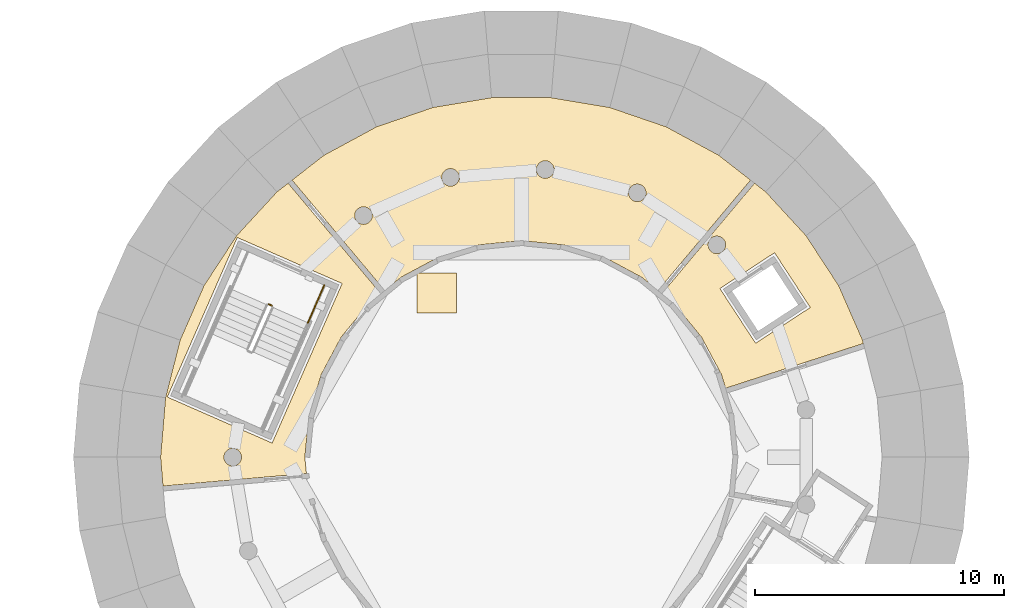
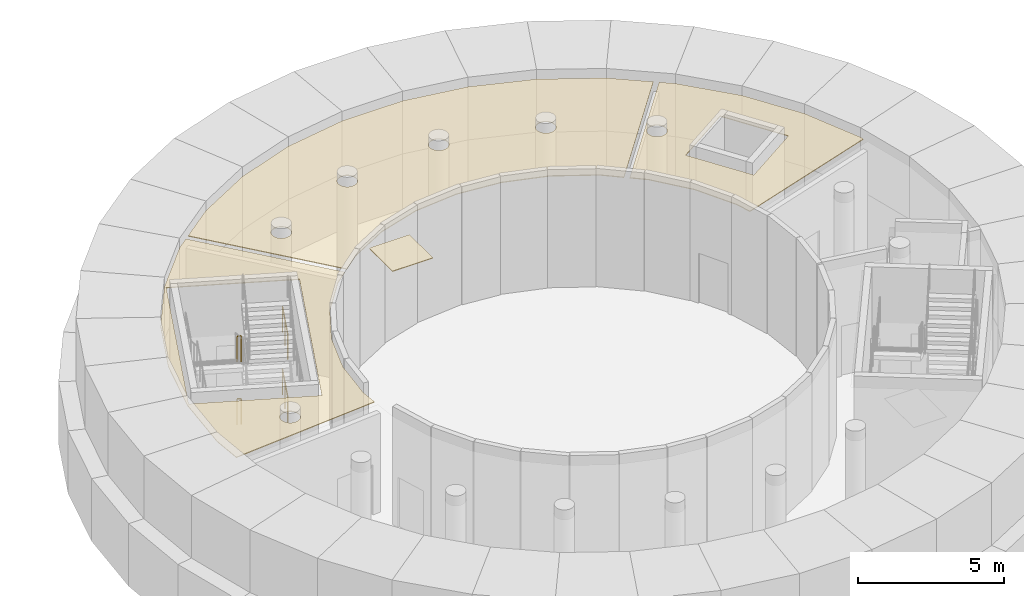
# One storey, part 120 of 125: 4 coverings, 4 railings.
"""IFC4 building model written with IfcOpenShell, lengths in metres."""

from ifc_helpers import new_model, si_unit, direction, frame, origin, origin_2d, place, context, subcontext, project, spatial, polyline, circle, outline, extrude, material, layer, layer_set, type_object, element, save


model = new_model("IFC4")

# Units and contexts
model_context = context("Model", 3, precision=1e-05, world=origin(), true_north=direction((0.0, 1.0)))
body_context = subcontext(model_context, "Body", "Model", "MODEL_VIEW")
ifc_project = project(units=[si_unit("LENGTHUNIT", "METRE"), si_unit("AREAUNIT", "SQUARE_METRE"), si_unit("VOLUMEUNIT", "CUBIC_METRE"), si_unit("PLANEANGLEUNIT", "RADIAN"), si_unit("MASSUNIT", "GRAM", prefix="KILO")], contexts=[model_context])

# Site, building, storey
site_placement = place(None, origin())
site = spatial("IfcSite", under=ifc_project, at=site_placement, CompositionType="ELEMENT")
building_placement = place(site_placement, origin())
building = spatial("IfcBuilding", under=site, at=building_placement, Name="Sun Court Science Centre", CompositionType="ELEMENT")
storey_placement = place(building_placement, frame((0.0, 0.0, 6.0)))
storey = spatial("IfcBuildingStorey", under=building, at=storey_placement, Name="L01", CompositionType="ELEMENT", Elevation=6.0)

# Coverings
ifc_material_1 = material(Name="Perforated steel", Category="steel")
ifc_layer_1 = layer(ifc_material_1, 0.030029296875)
ifc_layer_set_1 = layer_set([ifc_layer_1], Name="Perforated steel")
covering_type_1 = type_object("IfcCoveringType", Name="Ceiling acoustic perforated", PredefinedType="CEILING", material=ifc_layer_set_1)
covering_1_placement = place(storey_placement, frame((0.0, 0.0, 4.52001953125)))
element("IfcCovering", 1, at=covering_1_placement, inside=storey, type_object=covering_type_1, Name="L01-075 ceiling", PredefinedType="CEILING", context=body_context, shape_type="SweptSolid", body=[
    extrude(outline(polyline([(63.7509765625, 103.700439453125), (64.712646484375, 101.507568359375), (64.7470703125, 101.371826171875), (59.20751953125, 99.572021484375), (59.0380859375, 100.12939453125), (58.234130859375, 101.6337890625), (57.152099609375, 102.9521484375), (56.643310546875, 103.369873046875), (60.372802734375, 107.814453125), (60.8193359375, 107.466796875), (62.441162109375, 105.705078125), (63.7509765625, 103.700439453125)]), holes=[polyline([(61.17578125, 105.015869140625), (58.978271484375, 103.580078125), (60.413818359375, 101.382568359375), (62.611572265625, 102.818359375), (61.17578125, 105.015869140625)]), polyline([(59.18798828125, 105.221923828125), (59.194580078125, 105.243896484375), (59.19970703125, 105.26611328125), (59.20361328125, 105.288818359375), (59.205810546875, 105.3115234375), (59.20654296875, 105.33447265625), (59.205810546875, 105.357421875), (59.20361328125, 105.380126953125), (59.19970703125, 105.402587890625), (59.194580078125, 105.425048828125), (59.18798828125, 105.447021484375), (59.1796875, 105.46826171875), (59.17041015625, 105.4892578125), (59.15966796875, 105.509521484375), (59.1474609375, 105.52880859375), (59.134033203125, 105.547607421875), (59.11962890625, 105.565185546875), (59.10400390625, 105.581787109375), (59.087158203125, 105.597412109375), (59.069580078125, 105.612060546875), (59.05078125, 105.62548828125), (59.031494140625, 105.637451171875), (59.01123046875, 105.648193359375), (58.990478515625, 105.65771484375), (58.968994140625, 105.665771484375), (58.947021484375, 105.672607421875), (58.9248046875, 105.677734375), (58.902099609375, 105.681396484375), (58.87939453125, 105.68359375), (58.8564453125, 105.684326171875), (58.83349609375, 105.68359375), (58.810791015625, 105.681396484375), (58.7880859375, 105.677734375), (58.765869140625, 105.672607421875), (58.743896484375, 105.665771484375), (58.722412109375, 105.65771484375), (58.70166015625, 105.648193359375), (58.681396484375, 105.637451171875), (58.662109375, 105.62548828125), (58.643310546875, 105.612060546875), (58.625732421875, 105.597412109375), (58.60888671875, 105.581787109375), (58.59326171875, 105.565185546875), (58.578857421875, 105.547607421875), (58.5654296875, 105.52880859375), (58.553466796875, 105.509521484375), (58.54248046875, 105.4892578125), (58.533203125, 105.46826171875), (58.52490234375, 105.447021484375), (58.518310546875, 105.425048828125), (58.51318359375, 105.402587890625), (58.509521484375, 105.380126953125), (58.507080078125, 105.357421875), (58.506591796875, 105.33447265625), (58.507080078125, 105.3115234375), (58.509521484375, 105.288818359375), (58.51318359375, 105.26611328125), (58.518310546875, 105.243896484375), (58.52490234375, 105.221923828125), (58.533203125, 105.200439453125), (58.54248046875, 105.1796875), (58.553466796875, 105.159423828125), (58.5654296875, 105.139892578125), (58.578857421875, 105.121337890625), (58.59326171875, 105.103515625), (58.60888671875, 105.0869140625), (58.625732421875, 105.0712890625), (58.643310546875, 105.056640625), (58.662109375, 105.04345703125), (58.681396484375, 105.03125), (58.70166015625, 105.0205078125), (58.722412109375, 105.010986328125), (58.743896484375, 105.0029296875), (58.765869140625, 104.996337890625), (58.7880859375, 104.9912109375), (58.810791015625, 104.9873046875), (58.83349609375, 104.985107421875), (58.8564453125, 104.984375), (58.87939453125, 104.985107421875), (58.902099609375, 104.9873046875), (58.9248046875, 104.9912109375), (58.947021484375, 104.996337890625), (58.968994140625, 105.0029296875), (58.990478515625, 105.010986328125), (59.01123046875, 105.0205078125), (59.031494140625, 105.03125), (59.05078125, 105.04345703125), (59.069580078125, 105.056640625), (59.087158203125, 105.0712890625), (59.10400390625, 105.0869140625), (59.11962890625, 105.103515625), (59.134033203125, 105.121337890625), (59.1474609375, 105.139892578125), (59.15966796875, 105.159423828125), (59.17041015625, 105.1796875), (59.1796875, 105.200439453125), (59.18798828125, 105.221923828125)])]), origin(), (0.0, 0.0, 1.0), 0.030029296875),
])
covering_2_placement = place(storey_placement, frame((0.0, 0.0, 4.52001953125)))
element("IfcCovering", 2, at=covering_2_placement, inside=storey, type_object=covering_type_1, Name="L01-077 ceiling", PredefinedType="CEILING", context=body_context, shape_type="SweptSolid", body=[
    extrude(outline(polyline([(37.287353515625, 101.507568359375), (38.2490234375, 103.700439453125), (39.558837890625, 105.705078125), (41.1806640625, 107.466796875), (41.627197265625, 107.814453125), (45.356689453125, 103.369873046875), (44.847900390625, 102.9521484375), (43.765869140625, 101.6337890625), (42.9619140625, 100.12939453125), (42.466796875, 98.497314453125), (42.299560546875, 96.800048828125), (42.364013671875, 96.144775390625), (36.597900390625, 95.640380859375), (36.501708984375, 96.800048828125), (36.699462890625, 99.186279296875), (37.287353515625, 101.507568359375)]), holes=[polyline([(36.773193359375, 99.218505859375), (40.98583984375, 97.37060546875), (43.797607421875, 103.781005859375), (39.585205078125, 105.62890625), (36.773193359375, 99.218505859375)]), polyline([(39.738037109375, 96.70947265625), (39.743408203125, 96.731689453125), (39.7470703125, 96.75439453125), (39.749267578125, 96.777099609375), (39.75, 96.800048828125), (39.749267578125, 96.822998046875), (39.7470703125, 96.845703125), (39.743408203125, 96.868408203125), (39.738037109375, 96.890625), (39.7314453125, 96.91259765625), (39.723388671875, 96.933837890625), (39.7138671875, 96.954833984375), (39.703125, 96.97509765625), (39.69091796875, 96.994384765625), (39.677734375, 97.01318359375), (39.6630859375, 97.03076171875), (39.6474609375, 97.047607421875), (39.630859375, 97.06298828125), (39.613037109375, 97.07763671875), (39.594482421875, 97.091064453125), (39.574951171875, 97.10302734375), (39.5546875, 97.114013671875), (39.533935546875, 97.123291015625), (39.512451171875, 97.13134765625), (39.490478515625, 97.13818359375), (39.46826171875, 97.143310546875), (39.44580078125, 97.14697265625), (39.4228515625, 97.1494140625), (39.39990234375, 97.14990234375), (39.377197265625, 97.1494140625), (39.354248046875, 97.14697265625), (39.331787109375, 97.143310546875), (39.309326171875, 97.13818359375), (39.28759765625, 97.13134765625), (39.26611328125, 97.123291015625), (39.2451171875, 97.114013671875), (39.22509765625, 97.10302734375), (39.20556640625, 97.091064453125), (39.18701171875, 97.07763671875), (39.169189453125, 97.06298828125), (39.152587890625, 97.047607421875), (39.136962890625, 97.03076171875), (39.122314453125, 97.01318359375), (39.10888671875, 96.994384765625), (39.096923828125, 96.97509765625), (39.086181640625, 96.954833984375), (39.07666015625, 96.933837890625), (39.068603515625, 96.91259765625), (39.06201171875, 96.890625), (39.056640625, 96.868408203125), (39.052978515625, 96.845703125), (39.05078125, 96.822998046875), (39.050048828125, 96.800048828125), (39.05078125, 96.777099609375), (39.052978515625, 96.75439453125), (39.056640625, 96.731689453125), (39.06201171875, 96.70947265625), (39.068603515625, 96.6875), (39.07666015625, 96.666015625), (39.086181640625, 96.645263671875), (39.096923828125, 96.625), (39.10888671875, 96.605712890625), (39.122314453125, 96.5869140625), (39.136962890625, 96.569091796875), (39.152587890625, 96.552490234375), (39.169189453125, 96.536865234375), (39.18701171875, 96.522216796875), (39.20556640625, 96.509033203125), (39.22509765625, 96.496826171875), (39.2451171875, 96.486083984375), (39.26611328125, 96.4765625), (39.28759765625, 96.468505859375), (39.309326171875, 96.4619140625), (39.331787109375, 96.456787109375), (39.354248046875, 96.452880859375), (39.377197265625, 96.45068359375), (39.39990234375, 96.449951171875), (39.4228515625, 96.45068359375), (39.44580078125, 96.452880859375), (39.46826171875, 96.456787109375), (39.490478515625, 96.4619140625), (39.512451171875, 96.468505859375), (39.533935546875, 96.4765625), (39.5546875, 96.486083984375), (39.574951171875, 96.496826171875), (39.594482421875, 96.509033203125), (39.613037109375, 96.522216796875), (39.630859375, 96.536865234375), (39.6474609375, 96.552490234375), (39.6630859375, 96.569091796875), (39.677734375, 96.5869140625), (39.69091796875, 96.605712890625), (39.703125, 96.625), (39.7138671875, 96.645263671875), (39.723388671875, 96.666015625), (39.7314453125, 96.6875), (39.738037109375, 96.70947265625)])]), origin(), (0.0, 0.0, 1.0), 0.030029296875),
])
ifc_material_2 = material(Name="Gypsum board")
ifc_layer_2 = layer(ifc_material_2, 0.030029296875)
ifc_layer_set_2 = layer_set([ifc_layer_2], Name="Gypsum board")
covering_type_2 = type_object("IfcCoveringType", Name="Ceiling suspended 600 module", PredefinedType="CEILING", material=ifc_layer_set_2)
covering_3_placement = place(storey_placement, frame((0.0, 0.0, 4.52001953125)))
element("IfcCovering", 3, at=covering_3_placement, inside=storey, type_object=covering_type_2, Name="L01-076 ceiling", PredefinedType="CEILING", context=body_context, shape_type="SweptSolid", body=[
    extrude(outline(polyline([(52.197265625, 111.248779296875), (54.55908203125, 110.8544921875), (56.823974609375, 110.0771484375), (58.9296875, 108.9375), (60.21484375, 107.937255859375), (56.48876953125, 103.49658203125), (55.833740234375, 104.0341796875), (54.32958984375, 104.838134765625), (52.697509765625, 105.333251953125), (51.0, 105.50048828125), (49.302490234375, 105.333251953125), (47.67041015625, 104.838134765625), (46.166259765625, 104.0341796875), (45.51123046875, 103.49658203125), (41.78515625, 107.937255859375), (43.0703125, 108.9375), (45.176025390625, 110.0771484375), (47.44091796875, 110.8544921875), (49.802734375, 111.248779296875), (52.197265625, 111.248779296875)]), holes=[polyline([(56.006591796875, 107.377197265625), (56.0087890625, 107.400146484375), (56.009765625, 107.423095703125), (56.0087890625, 107.44580078125), (56.006591796875, 107.46875), (56.0029296875, 107.4912109375), (55.997802734375, 107.513671875), (55.9912109375, 107.535400390625), (55.98291015625, 107.556884765625), (55.9736328125, 107.577880859375), (55.962890625, 107.597900390625), (55.95068359375, 107.617431640625), (55.937255859375, 107.635986328125), (55.9228515625, 107.65380859375), (55.9072265625, 107.67041015625), (55.890380859375, 107.68603515625), (55.872802734375, 107.70068359375), (55.85400390625, 107.714111328125), (55.834716796875, 107.72607421875), (55.814453125, 107.73681640625), (55.793701171875, 107.746337890625), (55.772216796875, 107.75439453125), (55.750244140625, 107.760986328125), (55.727783203125, 107.76611328125), (55.705322265625, 107.77001953125), (55.6826171875, 107.772216796875), (55.65966796875, 107.77294921875), (55.63671875, 107.772216796875), (55.614013671875, 107.77001953125), (55.59130859375, 107.76611328125), (55.569091796875, 107.760986328125), (55.547119140625, 107.75439453125), (55.525634765625, 107.746337890625), (55.5048828125, 107.73681640625), (55.484619140625, 107.72607421875), (55.465087890625, 107.714111328125), (55.446533203125, 107.70068359375), (55.428955078125, 107.68603515625), (55.412109375, 107.67041015625), (55.396484375, 107.65380859375), (55.382080078125, 107.635986328125), (55.36865234375, 107.617431640625), (55.356689453125, 107.597900390625), (55.345703125, 107.577880859375), (55.336181640625, 107.556884765625), (55.328125, 107.535400390625), (55.321533203125, 107.513671875), (55.31640625, 107.4912109375), (55.312744140625, 107.46875), (55.310302734375, 107.44580078125), (55.309814453125, 107.423095703125), (55.310302734375, 107.400146484375), (55.312744140625, 107.377197265625), (55.31640625, 107.354736328125), (55.321533203125, 107.33251953125), (55.328125, 107.310546875), (55.336181640625, 107.2890625), (55.345703125, 107.268310546875), (55.356689453125, 107.248046875), (55.36865234375, 107.228515625), (55.382080078125, 107.2099609375), (55.396484375, 107.192138671875), (55.412109375, 107.175537109375), (55.428955078125, 107.159912109375), (55.446533203125, 107.145263671875), (55.465087890625, 107.132080078125), (55.484619140625, 107.119873046875), (55.5048828125, 107.109130859375), (55.525634765625, 107.099609375), (55.547119140625, 107.091552734375), (55.569091796875, 107.0849609375), (55.59130859375, 107.07958984375), (55.614013671875, 107.075927734375), (55.63671875, 107.07373046875), (55.65966796875, 107.072998046875), (55.6826171875, 107.07373046875), (55.705322265625, 107.075927734375), (55.727783203125, 107.07958984375), (55.750244140625, 107.0849609375), (55.772216796875, 107.091552734375), (55.793701171875, 107.099609375), (55.814453125, 107.109130859375), (55.834716796875, 107.119873046875), (55.85400390625, 107.132080078125), (55.872802734375, 107.145263671875), (55.890380859375, 107.159912109375), (55.9072265625, 107.175537109375), (55.9228515625, 107.192138671875), (55.937255859375, 107.2099609375), (55.95068359375, 107.228515625), (55.962890625, 107.248046875), (55.9736328125, 107.268310546875), (55.98291015625, 107.2890625), (55.9912109375, 107.310546875), (55.997802734375, 107.33251953125), (56.0029296875, 107.354736328125), (56.006591796875, 107.377197265625)]), polyline([(52.304931640625, 108.314697265625), (52.30712890625, 108.33740234375), (52.307861328125, 108.3603515625), (52.30712890625, 108.38330078125), (52.304931640625, 108.406005859375), (52.30126953125, 108.4287109375), (52.2958984375, 108.450927734375), (52.289306640625, 108.472900390625), (52.28125, 108.494384765625), (52.271728515625, 108.51513671875), (52.260986328125, 108.535400390625), (52.248779296875, 108.5546875), (52.235595703125, 108.573486328125), (52.22119140625, 108.59130859375), (52.205322265625, 108.60791015625), (52.188720703125, 108.62353515625), (52.1708984375, 108.63818359375), (52.15234375, 108.6513671875), (52.1328125, 108.66357421875), (52.11279296875, 108.67431640625), (52.091796875, 108.68359375), (52.0703125, 108.69189453125), (52.048583984375, 108.698486328125), (52.026123046875, 108.70361328125), (52.003662109375, 108.70751953125), (51.980712890625, 108.709716796875), (51.9580078125, 108.71044921875), (51.93505859375, 108.709716796875), (51.912109375, 108.70751953125), (51.8896484375, 108.70361328125), (51.8671875, 108.698486328125), (51.845458984375, 108.69189453125), (51.823974609375, 108.68359375), (51.802978515625, 108.67431640625), (51.782958984375, 108.66357421875), (51.763427734375, 108.6513671875), (51.744873046875, 108.63818359375), (51.72705078125, 108.62353515625), (51.71044921875, 108.60791015625), (51.69482421875, 108.59130859375), (51.68017578125, 108.573486328125), (51.6669921875, 108.5546875), (51.65478515625, 108.535400390625), (51.64404296875, 108.51513671875), (51.634521484375, 108.494384765625), (51.62646484375, 108.472900390625), (51.619873046875, 108.450927734375), (51.614501953125, 108.4287109375), (51.61083984375, 108.406005859375), (51.608642578125, 108.38330078125), (51.60791015625, 108.3603515625), (51.608642578125, 108.33740234375), (51.61083984375, 108.314697265625), (51.614501953125, 108.2919921875), (51.619873046875, 108.269775390625), (51.62646484375, 108.247802734375), (51.634521484375, 108.226318359375), (51.64404296875, 108.20556640625), (51.65478515625, 108.185302734375), (51.6669921875, 108.166015625), (51.68017578125, 108.147216796875), (51.69482421875, 108.129638671875), (51.71044921875, 108.11279296875), (51.72705078125, 108.09716796875), (51.744873046875, 108.082763671875), (51.763427734375, 108.0693359375), (51.782958984375, 108.057373046875), (51.802978515625, 108.04638671875), (51.823974609375, 108.037109375), (51.845458984375, 108.029052734375), (51.8671875, 108.022216796875), (51.8896484375, 108.01708984375), (51.912109375, 108.013427734375), (51.93505859375, 108.010986328125), (51.9580078125, 108.010498046875), (51.980712890625, 108.010986328125), (52.003662109375, 108.013427734375), (52.026123046875, 108.01708984375), (52.048583984375, 108.022216796875), (52.0703125, 108.029052734375), (52.091796875, 108.037109375), (52.11279296875, 108.04638671875), (52.1328125, 108.057373046875), (52.15234375, 108.0693359375), (52.1708984375, 108.082763671875), (52.188720703125, 108.09716796875), (52.205322265625, 108.11279296875), (52.22119140625, 108.129638671875), (52.235595703125, 108.147216796875), (52.248779296875, 108.166015625), (52.260986328125, 108.185302734375), (52.271728515625, 108.20556640625), (52.28125, 108.226318359375), (52.289306640625, 108.247802734375), (52.2958984375, 108.269775390625), (52.30126953125, 108.2919921875), (52.304931640625, 108.314697265625)]), polyline([(48.49560546875, 107.976806640625), (48.49951171875, 107.99951171875), (48.501708984375, 108.022216796875), (48.50244140625, 108.044921875), (48.501708984375, 108.06787109375), (48.49951171875, 108.0908203125), (48.49560546875, 108.11328125), (48.490478515625, 108.135498046875), (48.48388671875, 108.157470703125), (48.4755859375, 108.178955078125), (48.46630859375, 108.19970703125), (48.45556640625, 108.219970703125), (48.443359375, 108.239501953125), (48.429931640625, 108.258056640625), (48.41552734375, 108.27587890625), (48.39990234375, 108.29248046875), (48.383056640625, 108.30810546875), (48.365478515625, 108.32275390625), (48.3466796875, 108.336181640625), (48.327392578125, 108.34814453125), (48.30712890625, 108.35888671875), (48.286376953125, 108.368408203125), (48.264892578125, 108.37646484375), (48.242919921875, 108.383056640625), (48.220703125, 108.38818359375), (48.197998046875, 108.39208984375), (48.17529296875, 108.394287109375), (48.15234375, 108.39501953125), (48.12939453125, 108.394287109375), (48.106689453125, 108.39208984375), (48.083984375, 108.38818359375), (48.061767578125, 108.383056640625), (48.039794921875, 108.37646484375), (48.018310546875, 108.368408203125), (47.99755859375, 108.35888671875), (47.977294921875, 108.34814453125), (47.9580078125, 108.336181640625), (47.939208984375, 108.32275390625), (47.921630859375, 108.30810546875), (47.90478515625, 108.29248046875), (47.88916015625, 108.27587890625), (47.874755859375, 108.258056640625), (47.861328125, 108.239501953125), (47.849365234375, 108.219970703125), (47.83837890625, 108.19970703125), (47.8291015625, 108.178955078125), (47.82080078125, 108.157470703125), (47.814208984375, 108.135498046875), (47.80908203125, 108.11328125), (47.805419921875, 108.0908203125), (47.802978515625, 108.06787109375), (47.802490234375, 108.044921875), (47.802978515625, 108.022216796875), (47.805419921875, 107.99951171875), (47.80908203125, 107.976806640625), (47.814208984375, 107.95458984375), (47.82080078125, 107.9326171875), (47.8291015625, 107.9111328125), (47.83837890625, 107.89013671875), (47.849365234375, 107.8701171875), (47.861328125, 107.8505859375), (47.874755859375, 107.83203125), (47.88916015625, 107.814208984375), (47.90478515625, 107.797607421875), (47.921630859375, 107.781982421875), (47.939208984375, 107.767333984375), (47.9580078125, 107.75390625), (47.977294921875, 107.741943359375), (47.99755859375, 107.731201171875), (48.018310546875, 107.7216796875), (48.039794921875, 107.713623046875), (48.061767578125, 107.70703125), (48.083984375, 107.701904296875), (48.106689453125, 107.697998046875), (48.12939453125, 107.69580078125), (48.15234375, 107.695068359375), (48.17529296875, 107.69580078125), (48.197998046875, 107.697998046875), (48.220703125, 107.701904296875), (48.242919921875, 107.70703125), (48.264892578125, 107.713623046875), (48.286376953125, 107.7216796875), (48.30712890625, 107.731201171875), (48.327392578125, 107.741943359375), (48.3466796875, 107.75390625), (48.365478515625, 107.767333984375), (48.383056640625, 107.781982421875), (48.39990234375, 107.797607421875), (48.41552734375, 107.814208984375), (48.429931640625, 107.83203125), (48.443359375, 107.8505859375), (48.45556640625, 107.8701171875), (48.46630859375, 107.89013671875), (48.4755859375, 107.9111328125), (48.48388671875, 107.9326171875), (48.490478515625, 107.95458984375), (48.49560546875, 107.976806640625)]), polyline([(44.993408203125, 106.42041015625), (44.998779296875, 106.44287109375), (45.00244140625, 106.46533203125), (45.004638671875, 106.48828125), (45.00537109375, 106.510986328125), (45.004638671875, 106.533935546875), (45.00244140625, 106.556884765625), (44.998779296875, 106.579345703125), (44.993408203125, 106.601806640625), (44.98681640625, 106.62353515625), (44.978759765625, 106.64501953125), (44.96923828125, 106.666015625), (44.95849609375, 106.68603515625), (44.9462890625, 106.70556640625), (44.93310546875, 106.72412109375), (44.91845703125, 106.741943359375), (44.90283203125, 106.758544921875), (44.88623046875, 106.7744140625), (44.868408203125, 106.788818359375), (44.849853515625, 106.802001953125), (44.830322265625, 106.814208984375), (44.810302734375, 106.824951171875), (44.789306640625, 106.83447265625), (44.767822265625, 106.842529296875), (44.74609375, 106.84912109375), (44.7236328125, 106.8544921875), (44.701171875, 106.858154296875), (44.67822265625, 106.8603515625), (44.655517578125, 106.861083984375), (44.632568359375, 106.8603515625), (44.609619140625, 106.858154296875), (44.587158203125, 106.8544921875), (44.564697265625, 106.84912109375), (44.54296875, 106.842529296875), (44.521484375, 106.83447265625), (44.50048828125, 106.824951171875), (44.48046875, 106.814208984375), (44.4609375, 106.802001953125), (44.4423828125, 106.788818359375), (44.424560546875, 106.7744140625), (44.407958984375, 106.758544921875), (44.392333984375, 106.741943359375), (44.377685546875, 106.72412109375), (44.364501953125, 106.70556640625), (44.352294921875, 106.68603515625), (44.341552734375, 106.666015625), (44.33203125, 106.64501953125), (44.323974609375, 106.62353515625), (44.3173828125, 106.601806640625), (44.31201171875, 106.579345703125), (44.308349609375, 106.556884765625), (44.30615234375, 106.533935546875), (44.305419921875, 106.510986328125), (44.30615234375, 106.48828125), (44.308349609375, 106.46533203125), (44.31201171875, 106.44287109375), (44.3173828125, 106.42041015625), (44.323974609375, 106.398681640625), (44.33203125, 106.377197265625), (44.341552734375, 106.356201171875), (44.352294921875, 106.336181640625), (44.364501953125, 106.316650390625), (44.377685546875, 106.298095703125), (44.392333984375, 106.280517578125), (44.407958984375, 106.263671875), (44.424560546875, 106.248046875), (44.4423828125, 106.2333984375), (44.4609375, 106.22021484375), (44.48046875, 106.2080078125), (44.50048828125, 106.197265625), (44.521484375, 106.187744140625), (44.54296875, 106.1796875), (44.564697265625, 106.173095703125), (44.587158203125, 106.16796875), (44.609619140625, 106.1640625), (44.632568359375, 106.161865234375), (44.655517578125, 106.1611328125), (44.67822265625, 106.161865234375), (44.701171875, 106.1640625), (44.7236328125, 106.16796875), (44.74609375, 106.173095703125), (44.767822265625, 106.1796875), (44.789306640625, 106.187744140625), (44.810302734375, 106.197265625), (44.830322265625, 106.2080078125), (44.849853515625, 106.22021484375), (44.868408203125, 106.2333984375), (44.88623046875, 106.248046875), (44.90283203125, 106.263671875), (44.91845703125, 106.280517578125), (44.93310546875, 106.298095703125), (44.9462890625, 106.316650390625), (44.95849609375, 106.336181640625), (44.96923828125, 106.356201171875), (44.978759765625, 106.377197265625), (44.98681640625, 106.398681640625), (44.993408203125, 106.42041015625)])]), origin(), (0.0, 0.0, 1.0), 0.030029296875),
])
covering_4_placement = place(storey_placement, frame((0.0, 0.0, 4.52001953125)))
element("IfcCovering", 4, at=covering_4_placement, inside=storey, type_object=covering_type_2, Name="L01-081 ceiling", PredefinedType="CEILING", context=body_context, shape_type="SweptSolid", body=[
    extrude(outline(polyline([(48.39990234375, 104.199951171875), (48.39990234375, 102.60009765625), (46.800048828125, 102.60009765625), (46.800048828125, 104.199951171875), (48.39990234375, 104.199951171875)])), origin(), (0.0, 0.0, 1.0), 0.030029296875),
])

# Railings
ifc_material_3 = material(Name="Steel S275", Category="steel")
railing_type = type_object("IfcRailingType", Name="Guard 1100 steel balustrade", PredefinedType="GUARDRAIL", material=ifc_material_3)
railing_1_placement = place(storey_placement, frame((40.840087890625, 102.951171875, 2.625)))
element("IfcRailing", 5, at=railing_1_placement, inside=storey, type_object=railing_type, Name="L01 PS2 stair guard 6", PredefinedType="GUARDRAIL", context=body_context, shape_type="SweptSolid", body=[
    extrude(circle(Radius=0.02392578125, at=origin_2d()), frame((0.0, 0.0, 1.076171875), z_axis=(0.915746217537, -0.401757221548, 0.0), x_axis=(0.401757221548, 0.915746217537, 0.0)), (0.0, 0.0, 1.0), 0.150146484375),
    extrude(circle(Radius=0.02099609375, at=origin_2d()), origin(), (0.0, 0.0, 1.0), 1.052001953125),
    extrude(circle(Radius=0.02099609375, at=origin_2d()), frame((0.137451171875, -0.060302734375, 0.0)), (0.0, 0.0, 1.0), 1.052001953125),
])
railing_2_placement = place(storey_placement, frame((43.082763671875, 103.71240234375, 2.625)))
element("IfcRailing", 6, at=railing_2_placement, inside=storey, type_object=railing_type, Name="L01 PS2 stair guard 8", PredefinedType="GUARDRAIL", context=body_context, shape_type="SweptSolid", body=[
    extrude(circle(Radius=0.02392578125, at=origin_2d()), frame((0.0, 0.0, 1.076171875), z_axis=(-0.401665855022, -0.915786296529, 0.0), x_axis=(0.915786296529, -0.401665855022, 0.0)), (0.0, 0.0, 1.0), 1.647705078125),
    extrude(circle(Radius=0.02099609375, at=origin_2d()), origin(), (0.0, 0.0, 1.0), 1.052001953125),
    extrude(circle(Radius=0.02099609375, at=origin_2d()), frame((-0.3310546875, -0.75439453125, 0.0)), (0.0, 0.0, 1.0), 1.052001953125),
    extrude(circle(Radius=0.02099609375, at=origin_2d()), frame((-0.661865234375, -1.509033203125, 0.0)), (0.0, 0.0, 1.0), 1.052001953125),
])
railing_3_placement = place(storey_placement, frame((40.840087890625, 102.951171875, 0.0)))
element("IfcRailing", 7, at=railing_3_placement, inside=storey, type_object=railing_type, Name="L01 PS2 stair guard 14", PredefinedType="GUARDRAIL", context=body_context, shape_type="SweptSolid", body=[
    extrude(circle(Radius=0.02392578125, at=origin_2d()), frame((0.0, 0.0, 1.076171875), z_axis=(0.915746217537, -0.401757221548, 0.0), x_axis=(0.401757221548, 0.915746217537, 0.0)), (0.0, 0.0, 1.0), 0.150146484375),
    extrude(circle(Radius=0.02099609375, at=origin_2d()), origin(), (0.0, 0.0, 1.0), 1.052001953125),
    extrude(circle(Radius=0.02099609375, at=origin_2d()), frame((0.137451171875, -0.060302734375, 0.0)), (0.0, 0.0, 1.0), 1.052001953125),
])
railing_4_placement = place(storey_placement, frame((43.082763671875, 103.71240234375, 0.0)))
element("IfcRailing", 8, at=railing_4_placement, inside=storey, type_object=railing_type, Name="L01 PS2 stair guard 16", PredefinedType="GUARDRAIL", context=body_context, shape_type="SweptSolid", body=[
    extrude(circle(Radius=0.02392578125, at=origin_2d()), frame((0.0, 0.0, 1.076171875), z_axis=(-0.401665855022, -0.915786296529, 0.0), x_axis=(0.915786296529, -0.401665855022, 0.0)), (0.0, 0.0, 1.0), 1.647705078125),
    extrude(circle(Radius=0.02099609375, at=origin_2d()), origin(), (0.0, 0.0, 1.0), 1.052001953125),
    extrude(circle(Radius=0.02099609375, at=origin_2d()), frame((-0.3310546875, -0.75439453125, 0.0)), (0.0, 0.0, 1.0), 1.052001953125),
    extrude(circle(Radius=0.02099609375, at=origin_2d()), frame((-0.661865234375, -1.509033203125, 0.0)), (0.0, 0.0, 1.0), 1.052001953125),
])

save(model, "model.ifc")
